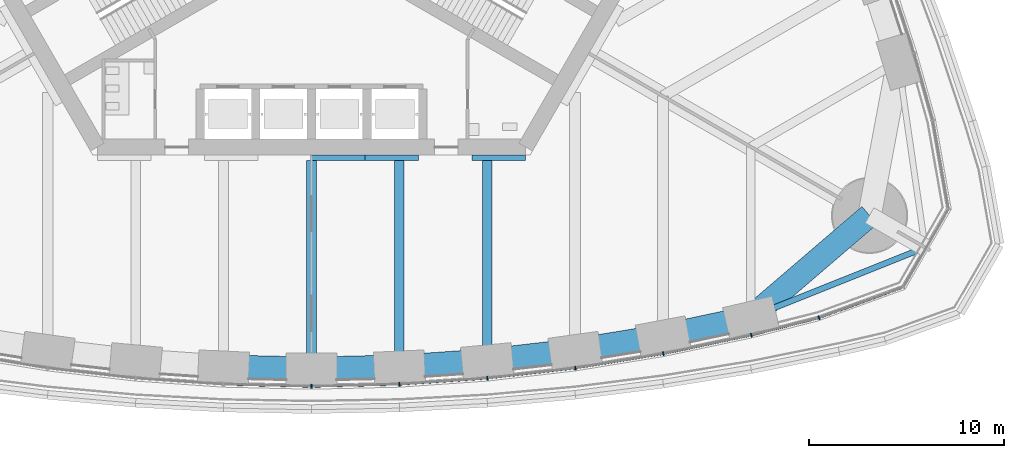
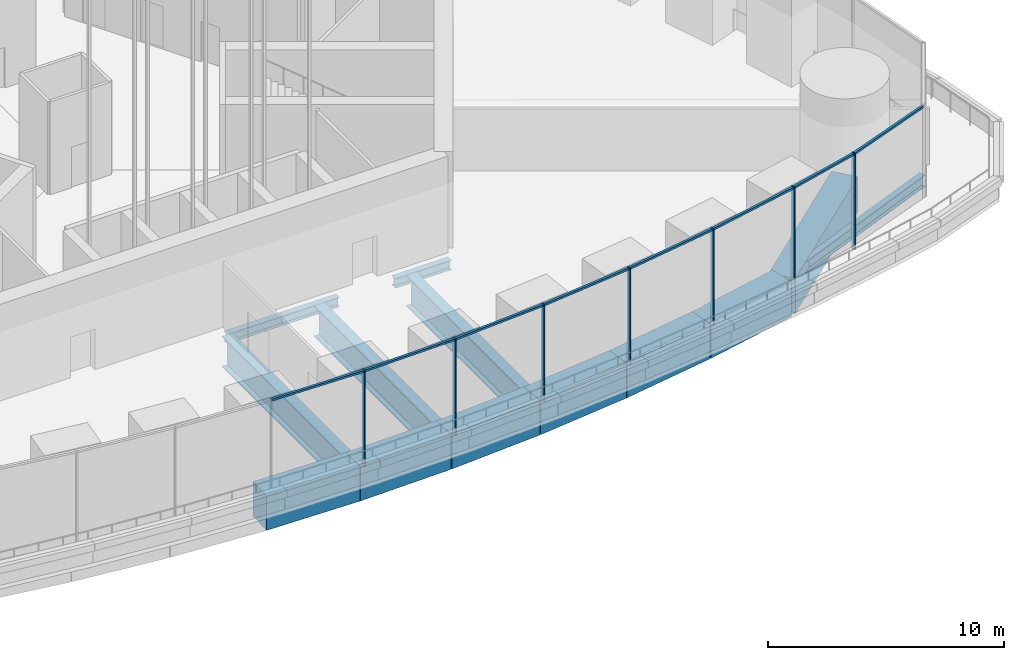
# One storey, part 4 of 31: 15 members, 14 beams, 2 elements without a shape of their own.
"""IFC4 building model written with IfcOpenShell, lengths in metres."""

from ifc_helpers import new_model, si_unit, direction, frame, origin, origin_2d, place, context, subcontext, project, spatial, rectangle, i_section, extrude, material, material_profile, profile_set, type_object, element, aggregate, save


model = new_model("IFC4")

# Units and contexts
model_context = context("Model", 3, precision=1e-05, world=origin(), true_north=direction((0.0, 1.0)))
body_context = subcontext(model_context, "Body", "Model", "MODEL_VIEW")
ifc_project = project(units=[si_unit("LENGTHUNIT", "METRE"), si_unit("AREAUNIT", "SQUARE_METRE"), si_unit("VOLUMEUNIT", "CUBIC_METRE"), si_unit("PLANEANGLEUNIT", "RADIAN"), si_unit("MASSUNIT", "GRAM", prefix="KILO")], contexts=[model_context])

# Site, building, storey
site_placement = place(None, origin())
site = spatial("IfcSite", under=ifc_project, at=site_placement, CompositionType="ELEMENT")
building_placement = place(site_placement, origin())
building = spatial("IfcBuilding", under=site, at=building_placement, Name="Trefoil Bronze Tower", CompositionType="ELEMENT")
storey_placement = place(building_placement, frame((0.0, 0.0, 184.699951171875)))
storey = spatial("IfcBuildingStorey", under=building, at=storey_placement, Name="L42", CompositionType="ELEMENT", Elevation=184.699951171875)

# Curtain wall, members
ifc_material_1 = material(Name="Tinted solar-control glass", Category="glass")
curtain_wall_type_1 = type_object("IfcCurtainWallType", Name="Bronze rounded corner curtain wall", PredefinedType="USERDEFINED", material=ifc_material_1)
curtain_wall_1_placement = place(storey_placement, origin())
curtain_wall_1 = element("IfcCurtainWall", 1, at=curtain_wall_1_placement, inside=storey, type_object=curtain_wall_type_1, Name="CW-B L42 K1", ObjectType="CURTAIN WALL", PredefinedType="USERDEFINED")
ifc_material_2 = material(Name="Bronze-finish aluminium", Category="aluminium")
ifc_material_profile_1 = material_profile(ifc_material_2, rectangle(XDim=0.199951171875, YDim=0.06005859375, at=origin_2d()), Name="CW-B mullion")
ifc_profile_set_1 = profile_set([ifc_material_profile_1], Name="Bronze-finish aluminium")
member_type_1 = type_object("IfcMemberType", Name="Bronze rounded corner curtain wall mullion", PredefinedType="MULLION", material=ifc_profile_set_1)
member_1_placement = place(storey_placement, frame((25.9873046875, -21.74462890625, 0.0), z_axis=(0.0, 0.0, 1.0), x_axis=(-0.342020143326, 0.939692620786, 0.0)))
member_1 = element("IfcMember", 2, at=member_1_placement, type_object=member_type_1, Name="CW-B L42 K1 mullion 1", PredefinedType="MULLION", context=body_context, shape_type="SweptSolid", body=[
    extrude(rectangle(XDim=0.199951171875, YDim=0.06005859375, at=origin_2d()), origin(), (0.0, 0.0, 1.0), 4.97998046875),
])
ifc_material_3 = material(Name="Bronze-finish aluminium", Category="aluminium")
ifc_material_profile_2 = material_profile(ifc_material_3, rectangle(XDim=0.1201171875, YDim=0.10009765625, at=origin_2d()), Name="CW-B transom")
ifc_profile_set_2 = profile_set([ifc_material_profile_2], Name="Bronze-finish aluminium")
member_type_2 = type_object("IfcMemberType", Name="Bronze rounded corner curtain wall transom", PredefinedType="USERDEFINED", material=ifc_profile_set_2)
member_2_placement = place(storey_placement, frame((26.015380859375, -21.734375, 4.929931640625), z_axis=(0.939680910753, 0.342052314664, 0.0), x_axis=(-0.342052314664, 0.939680910753, 0.0)))
member_2 = element("IfcMember", 3, at=member_2_placement, type_object=member_type_2, Name="CW-B L42 K1 transom 1", ObjectType="TRANSOM", PredefinedType="USERDEFINED", context=body_context, shape_type="SweptSolid", body=[
    extrude(rectangle(XDim=0.1201171875, YDim=0.10009765625, at=origin_2d()), origin(), (0.0, 0.0, 1.0), 4.500244140625),
])
aggregate(curtain_wall_1, [member_1, member_2])

ifc_material_4 = material(Name="Tinted solar-control glass", Category="glass")
curtain_wall_type_2 = type_object("IfcCurtainWallType", Name="Bronze sky lobby curtain wall", PredefinedType="USERDEFINED", material=ifc_material_4)
curtain_wall_2_placement = place(storey_placement, origin())
curtain_wall_2 = element("IfcCurtainWall", 4, at=curtain_wall_2_placement, inside=storey, type_object=curtain_wall_type_2, Name="CW-D L42 F1", ObjectType="CURTAIN WALL", PredefinedType="USERDEFINED")
ifc_material_5 = material(Name="Bronze-finish aluminium", Category="aluminium")
ifc_material_profile_3 = material_profile(ifc_material_5, rectangle(XDim=0.199951171875, YDim=0.06005859375, at=origin_2d()), Name="CW-D mullion")
ifc_profile_set_3 = profile_set([ifc_material_profile_3], Name="Bronze-finish aluminium")
member_type_3 = type_object("IfcMemberType", Name="Bronze sky lobby curtain wall mullion", PredefinedType="MULLION", material=ifc_profile_set_3)
member_3_placement = place(storey_placement, frame((0.0, -25.250732421875, 0.0), z_axis=(0.0, 0.0, 1.0), x_axis=(0.0, 1.0, 0.0)))
member_3 = element("IfcMember", 5, at=member_3_placement, type_object=member_type_3, Name="CW-D L42 F1 mullion 7", PredefinedType="MULLION", context=body_context, shape_type="SweptSolid", body=[
    extrude(rectangle(XDim=0.199951171875, YDim=0.06005859375, at=origin_2d()), origin(), (0.0, 0.0, 1.0), 4.97998046875),
])
member_4_placement = place(storey_placement, frame((4.504638671875, -25.147216796875, 0.0), z_axis=(0.0, 0.0, 1.0), x_axis=(-0.045955542372, 0.998943485952, 0.0)))
member_4 = element("IfcMember", 6, at=member_4_placement, type_object=member_type_3, Name="CW-D L42 F1 mullion 8", PredefinedType="MULLION", context=body_context, shape_type="SweptSolid", body=[
    extrude(rectangle(XDim=0.199951171875, YDim=0.06005859375, at=origin_2d()), origin(), (0.0, 0.0, 1.0), 4.97998046875),
])
member_5_placement = place(storey_placement, frame((9.00927734375, -24.8359375, 0.0), z_axis=(0.0, 0.0, 1.0), x_axis=(-0.091911396394, 0.995767189263, 0.0)))
member_5 = element("IfcMember", 7, at=member_5_placement, type_object=member_type_3, Name="CW-D L42 F1 mullion 9", PredefinedType="MULLION", context=body_context, shape_type="SweptSolid", body=[
    extrude(rectangle(XDim=0.199951171875, YDim=0.06005859375, at=origin_2d()), origin(), (0.0, 0.0, 1.0), 4.97998046875),
])
member_6_placement = place(storey_placement, frame((13.513671875, -24.315185546875, 0.0), z_axis=(0.0, 0.0, 1.0), x_axis=(-0.137867887204, 0.990450627582, 0.0)))
member_6 = element("IfcMember", 8, at=member_6_placement, type_object=member_type_3, Name="CW-D L42 F1 mullion 10", PredefinedType="MULLION", context=body_context, shape_type="SweptSolid", body=[
    extrude(rectangle(XDim=0.199951171875, YDim=0.06005859375, at=origin_2d()), origin(), (0.0, 0.0, 1.0), 4.97998046875),
])
member_7_placement = place(storey_placement, frame((18.018310546875, -23.581298828125, 0.0), z_axis=(0.0, 0.0, 1.0), x_axis=(-0.183825368167, 0.982958917767, 0.0)))
member_7 = element("IfcMember", 9, at=member_7_placement, type_object=member_type_3, Name="CW-D L42 F1 mullion 11", PredefinedType="MULLION", context=body_context, shape_type="SweptSolid", body=[
    extrude(rectangle(XDim=0.199951171875, YDim=0.06005859375, at=origin_2d()), origin(), (0.0, 0.0, 1.0), 4.97998046875),
])
member_8_placement = place(storey_placement, frame((22.522705078125, -22.62939453125, 0.0), z_axis=(0.0, 0.0, 1.0), x_axis=(-0.227082662569, 0.973875487093, 0.0)))
member_8 = element("IfcMember", 10, at=member_8_placement, type_object=member_type_3, Name="CW-D L42 F1 mullion 12", PredefinedType="MULLION", context=body_context, shape_type="SweptSolid", body=[
    extrude(rectangle(XDim=0.199951171875, YDim=0.06005859375, at=origin_2d()), origin(), (0.0, 0.0, 1.0), 4.97998046875),
])
ifc_material_6 = material(Name="Bronze-finish aluminium", Category="aluminium")
ifc_material_profile_4 = material_profile(ifc_material_6, rectangle(XDim=0.1201171875, YDim=0.10009765625, at=origin_2d()), Name="CW-D transom")
ifc_profile_set_4 = profile_set([ifc_material_profile_4], Name="Bronze-finish aluminium")
member_type_4 = type_object("IfcMemberType", Name="Bronze sky lobby curtain wall transom", PredefinedType="USERDEFINED", material=ifc_profile_set_4)
member_9_placement = place(storey_placement, frame((-4.472412109375, -25.14794921875, 4.929931640625), z_axis=(0.999735985112, -0.022977381744, 0.0), x_axis=(0.022977381744, 0.999735985112, 0.0)))
member_9 = element("IfcMember", 11, at=member_9_placement, type_object=member_type_4, Name="CW-D L42 F1 transom 6", ObjectType="TRANSOM", PredefinedType="USERDEFINED", context=body_context, shape_type="SweptSolid", body=[
    extrude(rectangle(XDim=0.1201171875, YDim=0.10009765625, at=origin_2d()), origin(), (0.0, 0.0, 1.0), 4.44140625),
])
member_10_placement = place(storey_placement, frame((0.0322265625, -25.25, 4.929931640625), z_axis=(0.999735985112, 0.022977381744, 0.0), x_axis=(-0.022977381744, 0.999735985112, 0.0)))
member_10 = element("IfcMember", 12, at=member_10_placement, type_object=member_type_4, Name="CW-D L42 F1 transom 7", ObjectType="TRANSOM", PredefinedType="USERDEFINED", context=body_context, shape_type="SweptSolid", body=[
    extrude(rectangle(XDim=0.1201171875, YDim=0.10009765625, at=origin_2d()), origin(), (0.0, 0.0, 1.0), 4.44140625),
])
member_11_placement = place(storey_placement, frame((4.536865234375, -25.14501953125, 4.929931640625), z_axis=(0.997620060713, 0.068950811916, 0.0), x_axis=(-0.068950811916, 0.997620060713, 0.0)))
member_11 = element("IfcMember", 13, at=member_11_placement, type_object=member_type_4, Name="CW-D L42 F1 transom 8", ObjectType="TRANSOM", PredefinedType="USERDEFINED", context=body_context, shape_type="SweptSolid", body=[
    extrude(rectangle(XDim=0.1201171875, YDim=0.10009765625, at=origin_2d()), origin(), (0.0, 0.0, 1.0), 4.45068359375),
])
member_12_placement = place(storey_placement, frame((9.041259765625, -24.832275390625, 4.929931640625), z_axis=(0.993381638917, 0.114860434717, 0.0), x_axis=(-0.114860434717, 0.993381638917, 0.0)))
member_12 = element("IfcMember", 14, at=member_12_placement, type_object=member_type_4, Name="CW-D L42 F1 transom 9", ObjectType="TRANSOM", PredefinedType="USERDEFINED", context=body_context, shape_type="SweptSolid", body=[
    extrude(rectangle(XDim=0.1201171875, YDim=0.10009765625, at=origin_2d()), origin(), (0.0, 0.0, 1.0), 4.469970703125),
])
member_13_placement = place(storey_placement, frame((13.545654296875, -24.31005859375, 4.929931640625), z_axis=(0.986982844558, 0.160825571812, 0.0), x_axis=(-0.160825571812, 0.986982844558, 0.0)))
member_13 = element("IfcMember", 15, at=member_13_placement, type_object=member_type_4, Name="CW-D L42 F1 transom 10", ObjectType="TRANSOM", PredefinedType="USERDEFINED", context=body_context, shape_type="SweptSolid", body=[
    extrude(rectangle(XDim=0.1201171875, YDim=0.10009765625, at=origin_2d()), origin(), (0.0, 0.0, 1.0), 4.49951171875),
])
member_14_placement = place(storey_placement, frame((18.050048828125, -23.574462890625, 4.929931640625), z_axis=(0.978394288231, 0.206747712823, 0.0), x_axis=(-0.206747712823, 0.978394288231, 0.0)))
member_14 = element("IfcMember", 16, at=member_14_placement, type_object=member_type_4, Name="CW-D L42 F1 transom 11", ObjectType="TRANSOM", PredefinedType="USERDEFINED", context=body_context, shape_type="SweptSolid", body=[
    extrude(rectangle(XDim=0.1201171875, YDim=0.10009765625, at=origin_2d()), origin(), (0.0, 0.0, 1.0), 4.539306640625),
])
member_15_placement = place(storey_placement, frame((22.5537109375, -22.62158203125, 4.929931640625), z_axis=(0.968925527682, 0.24735262644, 0.0), x_axis=(-0.24735262644, 0.968925527682, 0.0)))
member_15 = element("IfcMember", 17, at=member_15_placement, type_object=member_type_4, Name="CW-D L42 F1 transom 12", ObjectType="TRANSOM", PredefinedType="USERDEFINED", context=body_context, shape_type="SweptSolid", body=[
    extrude(rectangle(XDim=0.1201171875, YDim=0.10009765625, at=origin_2d()), origin(), (0.0, 0.0, 1.0), 3.50390625),
])
aggregate(curtain_wall_2, [member_3, member_4, member_5, member_6, member_7, member_8, member_9, member_10, member_11, member_12, member_13, member_14, member_15])

# Beams
ifc_material_7 = material(Name="Steel C355", Category="steel")
ifc_material_profile_5 = material_profile(ifc_material_7, i_section(OverallWidth=0.300048828125, OverallDepth=0.5, WebThickness=0.014404296875, FlangeThickness=0.028076171875, FilletRadius=0.027099609375, at=origin_2d()), Name="HEB 500")
ifc_profile_set_5 = profile_set([ifc_material_profile_5], Name="Steel C355")
beam_type_1 = type_object("IfcBeamType", Name="Core seat beam HEB 500", PredefinedType="BEAM", material=ifc_profile_set_5)
for number, where, z_axis, x_axis, name in (
    (18, (0.0, -13.550048828125, -0.449951171875), (1.0, 0.0, 0.0), (0.0, 1.0, 0.0), "Core seat beam F1/+0 L42"),
    (19, (2.742431640625, -13.550048828125, -0.449951171875), (1.0, 0.0, 0.0), (0.0, 1.0, 0.0), "Core seat beam F1/+1 L42"),
    (20, (8.227294921875, -13.550048828125, -0.449951171875), (1.0, 0.0, 0.0), (0.0, 1.0, 0.0), "Core seat beam F1/+2 L42"),
):
    element("IfcBeam", number, at=place(storey_placement, frame(where, z_axis=z_axis, x_axis=x_axis)), inside=storey, type_object=beam_type_1, Name=name, PredefinedType="BEAM", context=body_context, shape_type="SweptSolid", body=[
        extrude(i_section(OverallWidth=0.300048828125, OverallDepth=0.5, WebThickness=0.014404296875, FlangeThickness=0.028076171875, FilletRadius=0.027099609375, at=origin_2d()), origin(), (0.0, 0.0, 1.0), 2.742431640625),
    ])
ifc_material_8 = material(Name="Steel C355", Category="steel")
ifc_material_profile_6 = material_profile(ifc_material_8, i_section(OverallWidth=0.300048828125, OverallDepth=0.60009765625, WebThickness=0.015380859375, FlangeThickness=0.030029296875, FilletRadius=0.027099609375, at=origin_2d()), Name="HEB 600")
ifc_profile_set_6 = profile_set([ifc_material_profile_6], Name="Steel C355")
beam_type_2 = type_object("IfcBeamType", Name="Corner edge beam HEB 600", PredefinedType="BEAM", material=ifc_profile_set_6)
beam_1_placement = place(storey_placement, frame((22.5, -21.71044921875, -0.5), z_axis=(0.92852048463, 0.371281173266, 0.0), x_axis=(-0.371281173266, 0.92852048463, 0.0)))
element("IfcBeam", 21, at=beam_1_placement, inside=storey, type_object=beam_type_2, Name="Corner edge beam F1A L42", PredefinedType="BEAM", context=body_context, shape_type="SweptSolid", body=[
    extrude(i_section(OverallWidth=0.300048828125, OverallDepth=0.60009765625, WebThickness=0.015380859375, FlangeThickness=0.030029296875, FilletRadius=0.027099609375, at=origin_2d()), origin(), (0.0, 0.0, 1.0), 9.6103515625),
])
ifc_material_9 = material(Name="Concrete B80", Category="concrete")
ifc_material_profile_7 = material_profile(ifc_material_9, rectangle(XDim=1.199951171875, YDim=1.800048828125, at=origin_2d()), Name="RC 1200x1800")
ifc_profile_set_7 = profile_set([ifc_material_profile_7], Name="Concrete B80")
beam_type_3 = type_object("IfcBeamType", Name="End spandrel beam RC 1200x1800", PredefinedType="SPANDREL", material=ifc_profile_set_7)
beam_2_placement = place(storey_placement, frame((22.5, -21.71044921875, -1.099853515625), z_axis=(0.759256602365, 0.650791373456, 0.0), x_axis=(-0.650791373456, 0.759256602365, 0.0)))
element("IfcBeam", 22, at=beam_2_placement, inside=storey, type_object=beam_type_3, Name="Spandrel F1.12 L42", PredefinedType="SPANDREL", context=body_context, shape_type="SweptSolid", body=[
    extrude(rectangle(XDim=1.199951171875, YDim=1.800048828125, at=origin_2d()), origin(), (0.0, 0.0, 1.0), 8.00634765625),
])
ifc_material_10 = material(Name="Steel C355", Category="steel")
ifc_material_profile_8 = material_profile(ifc_material_10, i_section(OverallWidth=0.5, OverallDepth=1.60009765625, WebThickness=0.02587890625, FlangeThickness=0.050048828125, FilletRadius=0.011962890625, at=origin_2d()), Name="WPG 1600")
ifc_profile_set_8 = profile_set([ifc_material_profile_8], Name="Steel C355")
beam_type_4 = type_object("IfcBeamType", Name="Floor beam WPG 1600", PredefinedType="BEAM", material=ifc_profile_set_8)
beam_3_placement = place(storey_placement, frame((0.0, -24.3505859375, -1.0), z_axis=(0.0, 1.0, 0.0), x_axis=(-1.0, 0.0, 0.0)))
element("IfcBeam", 23, at=beam_3_placement, inside=storey, type_object=beam_type_4, Name="Floor beam F1/+0 L42", PredefinedType="BEAM", context=body_context, shape_type="SweptSolid", body=[
    extrude(i_section(OverallWidth=0.5, OverallDepth=1.60009765625, WebThickness=0.02587890625, FlangeThickness=0.050048828125, FilletRadius=0.011962890625, at=origin_2d()), origin(), (0.0, 0.0, 1.0), 10.650634765625),
])
beam_4_placement = place(storey_placement, frame((4.5, -24.246337890625, -1.0), z_axis=(0.0, 1.0, 0.0), x_axis=(-1.0, 0.0, 0.0)))
element("IfcBeam", 24, at=beam_4_placement, inside=storey, type_object=beam_type_4, Name="Floor beam F1/+1 L42", PredefinedType="BEAM", context=body_context, shape_type="SweptSolid", body=[
    extrude(i_section(OverallWidth=0.5, OverallDepth=1.60009765625, WebThickness=0.02587890625, FlangeThickness=0.050048828125, FilletRadius=0.011962890625, at=origin_2d()), origin(), (0.0, 0.0, 1.0), 10.54638671875),
])
beam_5_placement = place(storey_placement, frame((9.0, -23.932861328125, -1.0), z_axis=(0.0, 1.0, 0.0), x_axis=(-1.0, 0.0, 0.0)))
element("IfcBeam", 25, at=beam_5_placement, inside=storey, type_object=beam_type_4, Name="Floor beam F1/+2 L42", PredefinedType="BEAM", context=body_context, shape_type="SweptSolid", body=[
    extrude(i_section(OverallWidth=0.5, OverallDepth=1.60009765625, WebThickness=0.02587890625, FlangeThickness=0.050048828125, FilletRadius=0.011962890625, at=origin_2d()), origin(), (0.0, 0.0, 1.0), 10.23291015625),
])
ifc_material_11 = material(Name="Concrete B80", Category="concrete")
ifc_material_profile_9 = material_profile(ifc_material_11, rectangle(XDim=1.199951171875, YDim=1.800048828125, at=origin_2d()), Name="RC 1200x1800")
ifc_profile_set_9 = profile_set([ifc_material_profile_9], Name="Concrete B80")
beam_type_5 = type_object("IfcBeamType", Name="Spandrel beam RC 1200x1800", PredefinedType="SPANDREL", material=ifc_profile_set_9)
for number, where, z_axis, x_axis, name in (
    (26, (-4.5, -24.246337890625, -1.099853515625), (0.999731770792, -0.023160018779, 0.0), (0.023160018779, 0.999731770792, 0.0), "Spandrel F1.6 L42"),
    (27, (0.0, -24.3505859375, -1.099853515625), (0.999731770792, 0.023160018779, 0.0), (-0.023160018779, 0.999731770792, 0.0), "Spandrel F1.7 L42"),
):
    element("IfcBeam", number, at=place(storey_placement, frame(where, z_axis=z_axis, x_axis=x_axis)), inside=storey, type_object=beam_type_5, Name=name, PredefinedType="SPANDREL", context=body_context, shape_type="SweptSolid", body=[
        extrude(rectangle(XDim=1.199951171875, YDim=1.800048828125, at=origin_2d()), origin(), (0.0, 0.0, 1.0), 4.501220703125),
    ])
beam_6_placement = place(storey_placement, frame((4.5, -24.246337890625, -1.099853515625), z_axis=(0.997582435881, 0.069493047291, 0.0), x_axis=(-0.069493047291, 0.997582435881, 0.0)))
element("IfcBeam", 28, at=beam_6_placement, inside=storey, type_object=beam_type_5, Name="Spandrel F1.8 L42", PredefinedType="SPANDREL", context=body_context, shape_type="SweptSolid", body=[
    extrude(rectangle(XDim=1.199951171875, YDim=1.800048828125, at=origin_2d()), origin(), (0.0, 0.0, 1.0), 4.510986328125),
])
beam_7_placement = place(storey_placement, frame((9.0, -23.932861328125, -1.099853515625), z_axis=(0.993278017132, 0.115753102257, 0.0), x_axis=(-0.115753102257, 0.993278017132, 0.0)))
element("IfcBeam", 29, at=beam_7_placement, inside=storey, type_object=beam_type_5, Name="Spandrel F1.9 L42", PredefinedType="SPANDREL", context=body_context, shape_type="SweptSolid", body=[
    extrude(rectangle(XDim=1.199951171875, YDim=1.800048828125, at=origin_2d()), origin(), (0.0, 0.0, 1.0), 4.530517578125),
])
beam_8_placement = place(storey_placement, frame((13.5, -23.408447265625, -1.099853515625), z_axis=(0.986764681833, 0.162158757664, 0.0), x_axis=(-0.162158757664, 0.986764681833, 0.0)))
element("IfcBeam", 30, at=beam_8_placement, inside=storey, type_object=beam_type_5, Name="Spandrel F1.10 L42", PredefinedType="SPANDREL", context=body_context, shape_type="SweptSolid", body=[
    extrude(rectangle(XDim=1.199951171875, YDim=1.800048828125, at=origin_2d()), origin(), (0.0, 0.0, 1.0), 4.560302734375),
])
beam_9_placement = place(storey_placement, frame((18.0, -22.6689453125, -1.099853515625), z_axis=(0.978059483036, 0.208325820877, 0.0), x_axis=(-0.208325820877, 0.978059483036, 0.0)))
element("IfcBeam", 31, at=beam_9_placement, inside=storey, type_object=beam_type_5, Name="Spandrel F1.11 L42", PredefinedType="SPANDREL", context=body_context, shape_type="SweptSolid", body=[
    extrude(rectangle(XDim=1.199951171875, YDim=1.800048828125, at=origin_2d()), origin(), (0.0, 0.0, 1.0), 4.600830078125),
])

save(model, "model.ifc")
